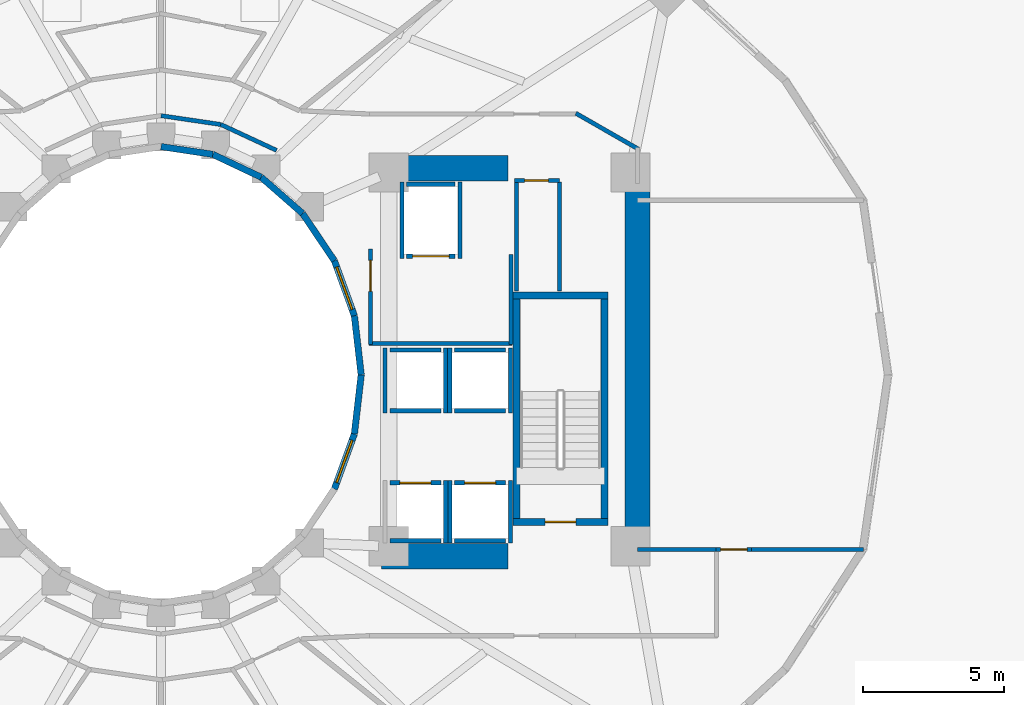
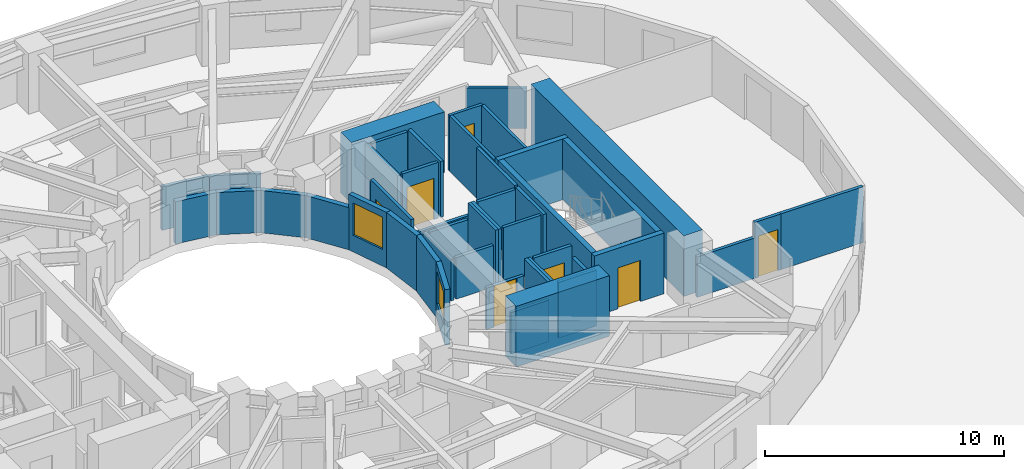
# One storey, part 6 of 10: 46 walls, 7 doors, 2 windows, 9 openings.
"""IFC4 building model written with IfcOpenShell, lengths in metres."""

import ifcopenshell
import ifcopenshell.guid

model = None  # the IFC model being written
_history = None  # IfcOwnerHistory: only IFC2X3 demands one
_inside = {}  # id of a spatial element -> (the spatial element, [elements in it])
_under = {}  # id of a project, library or spatial element -> (it, [spatial elements below it])
_declared = {}  # id of a project -> (the project, [libraries it declares])
_typed = {}  # id of a type object -> (the type object, [elements of that type])
_made_of = {}  # id of a material, layer set ... -> (it, [elements and type objects made of it])


def new_model(schema):
    """Start an empty IFC model of exactly this schema.

    Asked for "IFC4X3", IfcOpenShell would pick the latest addendum, in which some entities
    have other attributes; the version numbers below select the first issue.
    IFC2X3 requires an IfcOwnerHistory on every rooted entity: one is made here for all.
    """
    global model, _history
    if schema == "IFC4X3":
        model = ifcopenshell.file(schema_version=(4, 3, 0, 0))
    else:
        model = ifcopenshell.file(schema=schema)
    _inside.clear()
    _under.clear()
    _declared.clear()
    _typed.clear()
    _made_of.clear()
    _history = None
    if model.schema == "IFC2X3":
        org = make("IfcOrganization", Name="unknown")
        user = make(
            "IfcPersonAndOrganization",
            ThePerson=make("IfcPerson", FamilyName="unknown"),
            TheOrganization=org,
        )
        app = make(
            "IfcApplication",
            ApplicationDeveloper=org,
            Version="unknown",
            ApplicationFullName="unknown",
            ApplicationIdentifier="unknown",
        )
        _history = make(
            "IfcOwnerHistory",
            OwningUser=user,
            OwningApplication=app,
            ChangeAction="ADDED",
            CreationDate=0,
        )
    return model


def make(cls, **values):
    """One entity of the class cls with the attributes given. An attribute that is None is left unset."""
    return model.create_entity(
        cls, **{name: value for name, value in values.items() if value is not None}
    )


def rooted(cls, **values):
    """An entity with a GlobalId (a new one), such as an element, a storey or a relation."""
    return make(cls, GlobalId=ifcopenshell.guid.new(), OwnerHistory=_history, **values)


def si_unit(unit_type, name, prefix=None):
    """IfcSIUnit, for example si_unit("LENGTHUNIT", "METRE", prefix="MILLI")."""
    return make("IfcSIUnit", UnitType=unit_type, Prefix=prefix, Name=name)


def assignment(units):
    """IfcUnitAssignment: the units of a project."""
    return None if units is None else make("IfcUnitAssignment", Units=units)


def point(xyz):
    """IfcCartesianPoint."""
    return None if xyz is None else make("IfcCartesianPoint", Coordinates=xyz)


def direction(xyz):
    """IfcDirection."""
    return None if xyz is None else make("IfcDirection", DirectionRatios=xyz)


def frame(location, z_axis=None, x_axis=None):
    """IfcAxis2Placement3D, a coordinate frame: its origin and axes. An axis left out is left unset."""
    return make(
        "IfcAxis2Placement3D",
        Location=point(location),
        Axis=direction(z_axis),
        RefDirection=direction(x_axis),
    )


def frame_2d(location, x_axis=None):
    """IfcAxis2Placement2D, a coordinate frame in the plane: its origin and x axis."""
    return make(
        "IfcAxis2Placement2D", Location=point(location), RefDirection=direction(x_axis)
    )


def origin():
    """The frame at (0, 0, 0) with its axes left unset."""
    return frame((0.0, 0.0, 0.0))


def place(relative_to, where):
    """IfcLocalPlacement: puts the frame where relative to a parent placement (None: the world)."""
    return make(
        "IfcLocalPlacement", PlacementRelTo=relative_to, RelativePlacement=where
    )


def context(
    kind, dimensions, precision=None, world=None, true_north=None, identifier=None
):
    """IfcGeometricRepresentationContext, for example the 3D "Model" context."""
    return make(
        "IfcGeometricRepresentationContext",
        ContextIdentifier=identifier,
        ContextType=kind,
        CoordinateSpaceDimension=dimensions,
        Precision=precision,
        WorldCoordinateSystem=world,
        TrueNorth=true_north,
    )


def subcontext(parent, identifier, kind, view, scale=None):
    """IfcGeometricRepresentationSubContext, for example "Body" below "Model"."""
    return make(
        "IfcGeometricRepresentationSubContext",
        ContextIdentifier=identifier,
        ContextType=kind,
        ParentContext=parent,
        TargetScale=scale,
        TargetView=view,
    )


def project(units=None, contexts=None):
    """IfcProject with its units and contexts."""
    return rooted(
        "IfcProject",
        Name="project",
        RepresentationContexts=contexts,
        UnitsInContext=assignment(units),
    )


def spatial(cls, under=None, at=None, **own):
    """A site, building, storey or space (cls), placed at a placement, below another one or the project."""
    s = rooted(cls, ObjectPlacement=at, **own)
    if under is not None:
        _under.setdefault(under.id(), (under, []))[1].append(s)
    return s


def profile(cls, at=None, kind="AREA", **sizes):
    """A parametric profile (cls). Its sizes go by their IFC names, for example OverallWidth=200.0."""
    return make(cls, ProfileType=kind, Position=at, **sizes)


def rectangle(**sizes):
    """IfcRectangleProfileDef."""
    return profile("IfcRectangleProfileDef", **sizes)


def extrude(swept, where, along, depth):
    """IfcExtrudedAreaSolid: the profile swept, set in the frame where, extruded along a direction by depth."""
    return make(
        "IfcExtrudedAreaSolid",
        SweptArea=swept,
        Position=where,
        ExtrudedDirection=direction(along),
        Depth=depth,
    )


def shape(context_of_items, identifier, shape_type, items):
    """IfcShapeRepresentation: the items that make up one representation, for example the "Body"."""
    return make(
        "IfcShapeRepresentation",
        ContextOfItems=context_of_items,
        RepresentationIdentifier=identifier,
        RepresentationType=shape_type,
        Items=items,
    )


def material(Name=None, Category=None):
    """IfcMaterial."""
    return make("IfcMaterial", Name=Name, Category=Category)


def layer(
    of_material, thickness, ventilated=None, Name=None, Category=None, Priority=None
):
    """IfcMaterialLayer: one layer of a wall or slab, of a material (None: an air gap)."""
    return make(
        "IfcMaterialLayer",
        Material=of_material,
        LayerThickness=thickness,
        IsVentilated=ventilated,
        Name=Name,
        Category=Category,
        Priority=Priority,
    )


def layer_set(layers, Name=None):
    """IfcMaterialLayerSet."""
    return make("IfcMaterialLayerSet", MaterialLayers=layers, LayerSetName=Name)


def made_of(thing, what):
    """Note that an element or type object is made of a material, layer set ...; save() writes the relation."""
    if what is not None:
        _made_of.setdefault(what.id(), (what, []))[1].append(thing)
    return thing


def type_object(cls, material=None, **own):
    """A type object (cls), such as IfcWallType, which elements share."""
    return made_of(rooted(cls, **own), material)


def element(
    cls,
    number,
    at=None,
    inside=None,
    cuts=None,
    type_object=None,
    material=None,
    context=None,
    identifier="Body",
    shape_type=None,
    held_by="IfcProductDefinitionShape",
    body=None,
    shapes=None,
    **own,
):
    """One element of the class cls, such as IfcWall. Its Tag is "e" and its number.

    at: its placement. inside: the storey or other place that contains it. cuts: it is an
    opening in that element (IfcRelVoidsElement). A single representation is given by context,
    identifier, shape_type and body (its items); several are given by shapes. held_by: the class
    of the entity that holds the representations. save() writes the other relations.
    """
    e = rooted(cls, Tag="e%d" % number, ObjectPlacement=at, **own)
    if body is not None:
        shapes = [shape(context, identifier, shape_type, body)]
    if shapes is not None:
        e.Representation = make(held_by, Representations=shapes)
    if inside is not None:
        _inside.setdefault(inside.id(), (inside, []))[1].append(e)
    if cuts is not None:
        rooted(
            "IfcRelVoidsElement", RelatingBuildingElement=cuts, RelatedOpeningElement=e
        )
    if type_object is not None:
        _typed.setdefault(type_object.id(), (type_object, []))[1].append(e)
    return made_of(e, material)


def fill(opening, filler):
    """IfcRelFillsElement: the door or window that sits in an opening."""
    return rooted(
        "IfcRelFillsElement",
        RelatingOpeningElement=opening,
        RelatedBuildingElement=filler,
    )


def aggregate(whole, parts):
    """IfcRelAggregates: a whole, such as a stair, and the parts it consists of."""
    return rooted("IfcRelAggregates", RelatingObject=whole, RelatedObjects=parts)


def save(model, path):
    """Write the relations noted so far, then the file.

    IfcRelAggregates (storeys below a building ...), IfcRelContainedInSpatialStructure (elements
    in a storey), IfcRelDefinesByType, IfcRelAssociatesMaterial and IfcRelDeclares: one each for
    every whole, place, type object, material and project.
    """
    for whole, parts in _under.values():
        aggregate(whole, parts)
    for where, things in _inside.values():
        rooted(
            "IfcRelContainedInSpatialStructure",
            RelatedElements=things,
            RelatingStructure=where,
        )
    for kind, things in _typed.values():
        rooted("IfcRelDefinesByType", RelatedObjects=things, RelatingType=kind)
    for what, things in _made_of.values():
        rooted("IfcRelAssociatesMaterial", RelatedObjects=things, RelatingMaterial=what)
    for by, libraries in _declared.values():
        rooted("IfcRelDeclares", RelatingContext=by, RelatedDefinitions=libraries)
    model.write(path)


model = new_model("IFC4")

# Units and contexts
model_context = context("Model", 3, precision=1e-05, world=origin(), true_north=direction((0.0, 1.0)))
body_context = subcontext(model_context, "Body", "Model", "MODEL_VIEW")
ifc_project = project(units=[si_unit("LENGTHUNIT", "METRE"), si_unit("AREAUNIT", "SQUARE_METRE"), si_unit("VOLUMEUNIT", "CUBIC_METRE"), si_unit("PLANEANGLEUNIT", "RADIAN"), si_unit("MASSUNIT", "GRAM", prefix="KILO")], contexts=[model_context])

# Site, building, storey
site_placement = place(None, origin())
site = spatial("IfcSite", under=ifc_project, at=site_placement, CompositionType="ELEMENT")
building_placement = place(site_placement, origin())
building = spatial("IfcBuilding", under=site, at=building_placement, Name="Solvane Sanctuary Tower", CompositionType="ELEMENT")
storey_placement = place(building_placement, frame((0.0, 0.0, 27.60009765625)))
storey = spatial("IfcBuildingStorey", under=building, at=storey_placement, Name="L07", CompositionType="ELEMENT", Elevation=27.60009765625)

# Walls
ifc_material_1 = material(Name="Concrete C70/85", Category="concrete")
ifc_layer_1 = layer(ifc_material_1, 0.89990234375, Name="Concrete C70/85")
ifc_layer_set_1 = layer_set([ifc_layer_1], Name="Concrete C70/85")
wall_type_1 = type_object("IfcWallType", Name="Wall W-CORE-900", PredefinedType="SHEAR", material=ifc_layer_set_1)
wall_1_placement = place(storey_placement, frame((48.949951171875, 17.050048828125, 0.0), z_axis=(0.0, 0.0, 1.0), x_axis=(0.0, 1.0, 0.0)))
element("IfcWall", 1, at=wall_1_placement, inside=storey, type_object=wall_type_1, Name="L07 Core Shear Wall EC-E", PredefinedType="SHEAR", context=body_context, shape_type="SweptSolid", body=[
    extrude(rectangle(XDim=12.800048828125, YDim=0.89990234375, at=frame_2d((6.39990234375, 0.0))), origin(), (0.0, 0.0, 1.0), 3.099853515625),
])
for number, where, z_axis, x_axis, name in (
    (2, (39.85009765625, 16.550048828125, 0.0), (0.0, 0.0, 1.0), (1.0, 0.0, 0.0), "L07 Core Shear Wall EC-S"),
    (3, (39.85009765625, 30.35009765625, 0.0), (0.0, 0.0, 1.0), (1.0, 0.0, 0.0), "L07 Core Shear Wall EC-N"),
):
    element("IfcWall", number, at=place(storey_placement, frame(where, z_axis=z_axis, x_axis=x_axis)), inside=storey, type_object=wall_type_1, Name=name, PredefinedType="SHEAR", context=body_context, shape_type="SweptSolid", body=[
        extrude(rectangle(XDim=4.5, YDim=0.89990234375, at=frame_2d((2.25, 0.0))), origin(), (0.0, 0.0, 1.0), 3.099853515625),
    ])
ifc_material_2 = material(Name="Acoustic Gypsum Partition Board")
ifc_layer_2 = layer(ifc_material_2, 0.14990234375, Name="Acoustic Gypsum Partition Board")
ifc_layer_set_2 = layer_set([ifc_layer_2], Name="Acoustic Gypsum Partition Board")
wall_type_2 = type_object("IfcWallType", Name="Wall W-CORR-150", PredefinedType="PARTITIONING", material=ifc_layer_set_2)
wall_2_placement = place(storey_placement, frame((39.39990234375, 24.1201171875, 0.0), z_axis=(0.0, 0.0, 1.0), x_axis=(1.0, 0.0, 0.0)))
element("IfcWall", 4, at=wall_2_placement, inside=storey, type_object=wall_type_2, Name="L07 East Firefighting Lobby South Wall", PredefinedType="PARTITIONING", context=body_context, shape_type="SweptSolid", body=[
    extrude(rectangle(XDim=5.080078125, YDim=0.14990234375, at=frame_2d((2.5400390625, 0.0))), origin(), (0.0, 0.0, 1.0), 2.119873046875),
])
wall_3_placement = place(storey_placement, frame((44.449951171875, 24.080078125, 0.0), z_axis=(0.0, 0.0, 1.0), x_axis=(0.0, 1.0, 0.0)))
element("IfcWall", 5, at=wall_3_placement, inside=storey, type_object=wall_type_2, Name="L07 East Firefighting Lobby East Wall", PredefinedType="PARTITIONING", context=body_context, shape_type="SweptSolid", body=[
    extrude(rectangle(XDim=3.199951171875, YDim=0.14990234375, at=frame_2d((1.60009765625, 0.0))), origin(), (0.0, 0.0, 1.0), 2.85498046875),
])

# Wall, opening, door
wall_4_placement = place(storey_placement, frame((39.449951171875, 24.080078125, 0.0), z_axis=(0.0, 0.0, 1.0), x_axis=(0.0, 1.0, 0.0)))
wall_4 = element("IfcWall", 6, at=wall_4_placement, inside=storey, type_object=wall_type_2, Name="L07 East Firefighting Lobby West Wall", PredefinedType="PARTITIONING", context=body_context, shape_type="SweptSolid", body=[
    extrude(rectangle(XDim=3.39990234375, YDim=0.14990234375, at=frame_2d((1.699951171875, 0.0))), origin(), (0.0, 0.0, 1.0), 2.85498046875),
])
opening_1_placement = place(wall_4_placement, frame((1.893798828125, 0.0, 0.0)))
opening_1 = element("IfcOpeningElement", 7, at=opening_1_placement, cuts=wall_4, Name="Opening D-L07-09", PredefinedType="OPENING", context=body_context, shape_type="SweptSolid", body=[
    extrude(rectangle(XDim=1.10009765625, YDim=2.10009765625, at=frame_2d((0.550048828125, 1.050048828125))), frame((0.0, 0.0849609375, 0.0), z_axis=(0.0, -1.0, 0.0), x_axis=(1.0, 0.0, 0.0)), (0.0, 0.0, 1.0), 0.169921875),
])
ifc_material_3 = material(Name="Architectural Stainless Steel 316", Category="steel")
door_type_1 = type_object("IfcDoorType", Name="Door D-FFL", OperationType="NOTDEFINED", PredefinedType="DOOR", material=ifc_material_3)
door_1_placement = place(opening_1_placement, origin())
door_1 = element("IfcDoor", 8, at=door_1_placement, inside=storey, type_object=door_type_1, Name="L07 East Firefighting Lobby Fire Door", OperationType="SINGLE_SWING_LEFT", OverallHeight=2.10009765625, OverallWidth=1.10009765625, PredefinedType="DOOR", context=body_context, shape_type="SweptSolid", body=[
    extrude(rectangle(XDim=1.10009765625, YDim=2.10009765625, at=frame_2d((0.550048828125, 1.050048828125))), frame((0.0, 0.02490234375, 0.0), z_axis=(0.0, -1.0, 0.0), x_axis=(1.0, 0.0, 0.0)), (0.0, 0.0, 1.0), 0.050048828125),
])
fill(opening_1, door_1)

# Walls
wall_5_placement = place(storey_placement, frame((36.110107421875, 30.98486328125, 0.0), z_axis=(0.0, 0.0, 1.0), x_axis=(-0.906943449489, 0.421252393975, 0.0)))
element("IfcWall", 9, at=wall_5_placement, inside=storey, type_object=wall_type_2, Name="L07 Light-Well Corridor Rim Wall N1", PredefinedType="PARTITIONING", context=body_context, shape_type="SweptSolid", body=[
    extrude(rectangle(XDim=2.18603515625, YDim=0.14990234375, at=frame_2d((1.093017578125, 0.0))), origin(), (0.0, 0.0, 1.0), 2.23681640625),
])
wall_6_placement = place(storey_placement, frame((34.12744140625, 31.90576171875, 0.0), z_axis=(0.0, 0.0, 1.0), x_axis=(-0.989268584896, 0.146108408166, 0.0)))
element("IfcWall", 10, at=wall_6_placement, inside=storey, type_object=wall_type_2, Name="L07 Light-Well Corridor Rim Wall N2", PredefinedType="PARTITIONING", context=body_context, shape_type="SweptSolid", body=[
    extrude(rectangle(XDim=2.150634765625, YDim=0.14990234375, at=frame_2d((1.0751953125, 0.0))), origin(), (0.0, 0.0, 1.0), 2.23681640625),
])
wall_7_placement = place(storey_placement, frame((48.949951171875, 16.788330078125, 0.0), z_axis=(0.0, 0.0, 1.0), x_axis=(1.0, 0.0, 0.0)))
element("IfcWall", 11, at=wall_7_placement, inside=storey, type_object=wall_type_2, Name="L07 East Shoulder South Wall", PredefinedType="PARTITIONING", context=body_context, shape_type="SweptSolid", body=[
    extrude(rectangle(XDim=2.79296875, YDim=0.14990234375, at=frame_2d((1.396484375, 0.0))), origin(), (0.0, 0.0, 1.0), 2.06884765625),
])

# Wall, opening, door
wall_8_placement = place(storey_placement, frame((51.742919921875, 16.788330078125, 0.0), z_axis=(0.0, 0.0, 1.0), x_axis=(1.0, 0.0, 0.0)))
wall_8 = element("IfcWall", 12, at=wall_8_placement, inside=storey, type_object=wall_type_2, Name="L07 East Shoulder South Wall", PredefinedType="PARTITIONING", context=body_context, shape_type="SweptSolid", body=[
    extrude(rectangle(XDim=1.27001953125, YDim=0.14990234375, at=frame_2d((0.635009765625, 0.0))), origin(), (0.0, 0.0, 1.0), 2.85498046875),
])
opening_2_placement = place(wall_8_placement, frame((0.159912109375, 0.0, 0.0)))
opening_2 = element("IfcOpeningElement", 13, at=opening_2_placement, cuts=wall_8, Name="Opening D-L07-12", PredefinedType="OPENING", context=body_context, shape_type="SweptSolid", body=[
    extrude(rectangle(XDim=0.949951171875, YDim=2.10009765625, at=frame_2d((0.47509765625, 1.050048828125))), frame((0.0, 0.0849609375, 0.0), z_axis=(0.0, -1.0, 0.0), x_axis=(1.0, 0.0, 0.0)), (0.0, 0.0, 1.0), 0.169921875),
])
ifc_material_4 = material(Name="Engineered Tropical Hardwood", Category="wood")
door_type_2 = type_object("IfcDoorType", Name="Door D-ROOM-950", OperationType="NOTDEFINED", PredefinedType="DOOR", material=ifc_material_4)
door_2_placement = place(opening_2_placement, origin())
door_2 = element("IfcDoor", 14, at=door_2_placement, inside=storey, type_object=door_type_2, Name="L07 East Shoulder South Door", OperationType="SINGLE_SWING_RIGHT", OverallHeight=2.10009765625, OverallWidth=0.949951171875, PredefinedType="DOOR", context=body_context, shape_type="SweptSolid", body=[
    extrude(rectangle(XDim=0.949951171875, YDim=2.10009765625, at=frame_2d((0.47509765625, 1.050048828125))), frame((0.0, 0.02490234375, 0.0), z_axis=(0.0, -1.0, 0.0), x_axis=(1.0, 0.0, 0.0)), (0.0, 0.0, 1.0), 0.050048828125),
])
fill(opening_2, door_2)

# Walls
wall_9_placement = place(storey_placement, frame((53.012939453125, 16.788330078125, 0.0), z_axis=(0.0, 0.0, 1.0), x_axis=(1.0, 0.0, 0.0)))
element("IfcWall", 15, at=wall_9_placement, inside=storey, type_object=wall_type_2, Name="L07 East Shoulder South Wall", PredefinedType="PARTITIONING", context=body_context, shape_type="SweptSolid", body=[
    extrude(rectangle(XDim=3.973388671875, YDim=0.14990234375, at=frame_2d((1.98681640625, 0.0))), origin(), (0.0, 0.0, 1.0), 2.85498046875),
])
wall_10_placement = place(storey_placement, frame((46.756591796875, 32.3046875, 0.0), z_axis=(0.0, 0.0, 1.0), x_axis=(0.867991349648, -0.496579315857, 0.0)))
element("IfcWall", 16, at=wall_10_placement, inside=storey, type_object=wall_type_2, Name="L07 NE Corner Wing Wall", PredefinedType="PARTITIONING", context=body_context, shape_type="SweptSolid", body=[
    extrude(rectangle(XDim=2.56689453125, YDim=0.14990234375, at=frame_2d((1.283447265625, 0.0))), origin(), (0.0, 0.0, 1.0), 2.06884765625),
])
ifc_material_5 = material(Name="Precast concrete C40/50", Category="concrete")
ifc_layer_3 = layer(ifc_material_5, 0.22998046875, Name="Precast concrete C40/50")
ifc_layer_set_3 = layer_set([ifc_layer_3], Name="Precast concrete C40/50")
wall_type_3 = type_object("IfcWallType", Name="Wall W-EXT-SP220", PredefinedType="STANDARD", material=ifc_layer_set_3)
wall_11_placement = place(storey_placement, frame((39.1201171875, 23.0, 0.0), z_axis=(0.0, 0.0, 1.0), x_axis=(-0.114711713601, 0.993398823617, 0.0)))
element("IfcWall", 17, at=wall_11_placement, inside=storey, type_object=wall_type_3, Name="L07 Central Light-Well Wall 00", PredefinedType="STANDARD", context=body_context, shape_type="SweptSolid", body=[
    extrude(rectangle(XDim=2.115478515625, YDim=0.22998046875, at=frame_2d((1.0576171875, 0.0))), origin(), (0.0, 0.0, 1.0), 2.83984375),
])

# Wall, opening, window
wall_12_placement = place(storey_placement, frame((38.87744140625, 25.1015625, 0.0), z_axis=(0.0, 0.0, 1.0), x_axis=(-0.341423187295, 0.93990968033, 0.0)))
wall_12 = element("IfcWall", 18, at=wall_12_placement, inside=storey, type_object=wall_type_3, Name="L07 Central Light-Well Wall 01", PredefinedType="STANDARD", context=body_context, shape_type="SweptSolid", body=[
    extrude(rectangle(XDim=2.083740234375, YDim=0.22998046875, at=frame_2d((1.0419921875, 0.0))), origin(), (0.0, 0.0, 1.0), 2.83984375),
])
opening_3_placement = place(wall_12_placement, frame((0.24169921875, 0.0, 0.85009765625)))
opening_3 = element("IfcOpeningElement", 19, at=opening_3_placement, cuts=wall_12, Name="Opening WN-WELL-1600", PredefinedType="OPENING", context=body_context, shape_type="SweptSolid", body=[
    extrude(rectangle(XDim=1.60009765625, YDim=1.64990234375, at=frame_2d((0.800048828125, 0.824951171875))), frame((0.0, 0.125, 0.0), z_axis=(0.0, -1.0, 0.0), x_axis=(1.0, 0.0, 0.0)), (0.0, 0.0, 1.0), 0.25),
])
ifc_material_6 = material(Name="Clear Laminated Light-Well Glass", Category="glass")
window_type = type_object("IfcWindowType", Name="Window WN-WELL-1600", PartitioningType="SINGLE_PANEL", PredefinedType="WINDOW", material=ifc_material_6)
window_1_placement = place(opening_3_placement, origin())
window_1 = element("IfcWindow", 20, at=window_1_placement, inside=storey, type_object=window_type, Name="L07 Light-Well Daylight Window 01", OverallHeight=1.64990234375, OverallWidth=1.60009765625, PartitioningType="SINGLE_PANEL", PredefinedType="WINDOW", context=body_context, shape_type="SweptSolid", body=[
    extrude(rectangle(XDim=1.60009765625, YDim=1.64990234375, at=frame_2d((0.800048828125, 0.824951171875))), frame((0.0, 0.030029296875, 0.0), z_axis=(0.0, -1.0, 0.0), x_axis=(1.0, 0.0, 0.0)), (0.0, 0.0, 1.0), 0.06005859375),
])
fill(opening_3, window_1)

# Walls
wall_13_placement = place(storey_placement, frame((38.166015625, 27.06005859375, 0.0), z_axis=(0.0, 0.0, 1.0), x_axis=(-0.558197800898, 0.829707909492, 0.0)))
element("IfcWall", 21, at=wall_13_placement, inside=storey, type_object=wall_type_3, Name="L07 Central Light-Well Wall 02", PredefinedType="STANDARD", context=body_context, shape_type="SweptSolid", body=[
    extrude(rectangle(XDim=2.02685546875, YDim=0.22998046875, at=frame_2d((1.013427734375, 0.0))), origin(), (0.0, 0.0, 1.0), 2.159912109375),
])
wall_14_placement = place(storey_placement, frame((37.03466796875, 28.74169921875, 0.0), z_axis=(0.0, 0.0, 1.0), x_axis=(-0.752576694707, 0.658504607869, 0.0)))
element("IfcWall", 22, at=wall_14_placement, inside=storey, type_object=wall_type_3, Name="L07 Central Light-Well Wall 03", PredefinedType="STANDARD", context=body_context, shape_type="SweptSolid", body=[
    extrude(rectangle(XDim=1.95947265625, YDim=0.22998046875, at=frame_2d((0.979736328125, 0.0))), origin(), (0.0, 0.0, 1.0), 2.159912109375),
])
wall_15_placement = place(storey_placement, frame((35.56005859375, 30.031982421875, 0.0), z_axis=(0.0, 0.0, 1.0), x_axis=(-0.904179699603, 0.427152280606, 0.0)))
element("IfcWall", 23, at=wall_15_placement, inside=storey, type_object=wall_type_3, Name="L07 Central Light-Well Wall 04", PredefinedType="STANDARD", context=body_context, shape_type="SweptSolid", body=[
    extrude(rectangle(XDim=1.899169921875, YDim=0.22998046875, at=frame_2d((0.94970703125, 0.0))), origin(), (0.0, 0.0, 1.0), 2.159912109375),
])
wall_16_placement = place(storey_placement, frame((33.8427734375, 30.84326171875, 0.0), z_axis=(0.0, 0.0, 1.0), x_axis=(-0.988901730308, 0.148571086668, 0.0)))
element("IfcWall", 24, at=wall_16_placement, inside=storey, type_object=wall_type_3, Name="L07 Central Light-Well Wall 05", PredefinedType="STANDARD", context=body_context, shape_type="SweptSolid", body=[
    extrude(rectangle(XDim=1.863525390625, YDim=0.22998046875, at=frame_2d((0.931640625, 0.0))), origin(), (0.0, 0.0, 1.0), 2.159912109375),
])

# Wall, opening, window
wall_17_placement = place(storey_placement, frame((38.166015625, 18.93994140625, 0.0), z_axis=(0.0, 0.0, 1.0), x_axis=(0.341423187295, 0.93990968033, 0.0)))
wall_17 = element("IfcWall", 25, at=wall_17_placement, inside=storey, type_object=wall_type_3, Name="L07 Central Light-Well Wall 22", PredefinedType="STANDARD", context=body_context, shape_type="SweptSolid", body=[
    extrude(rectangle(XDim=2.083740234375, YDim=0.22998046875, at=frame_2d((1.0419921875, 0.0))), origin(), (0.0, 0.0, 1.0), 2.83984375),
])
opening_4_placement = place(wall_17_placement, frame((0.24169921875, 0.0, 0.85009765625)))
opening_4 = element("IfcOpeningElement", 26, at=opening_4_placement, cuts=wall_17, Name="Opening WN-WELL-1600", PredefinedType="OPENING", context=body_context, shape_type="SweptSolid", body=[
    extrude(rectangle(XDim=1.60009765625, YDim=1.64990234375, at=frame_2d((0.800048828125, 0.824951171875))), frame((0.0, 0.125, 0.0), z_axis=(0.0, -1.0, 0.0), x_axis=(1.0, 0.0, 0.0)), (0.0, 0.0, 1.0), 0.25),
])
window_2_placement = place(opening_4_placement, origin())
window_2 = element("IfcWindow", 27, at=window_2_placement, inside=storey, type_object=window_type, Name="L07 Light-Well Daylight Window 22", OverallHeight=1.64990234375, OverallWidth=1.60009765625, PartitioningType="SINGLE_PANEL", PredefinedType="WINDOW", context=body_context, shape_type="SweptSolid", body=[
    extrude(rectangle(XDim=1.60009765625, YDim=1.64990234375, at=frame_2d((0.800048828125, 0.824951171875))), frame((0.0, 0.030029296875, 0.0), z_axis=(0.0, -1.0, 0.0), x_axis=(1.0, 0.0, 0.0)), (0.0, 0.0, 1.0), 0.06005859375),
])
fill(opening_4, window_2)

# Wall
wall_18_placement = place(storey_placement, frame((38.87744140625, 20.8984375, 0.0), z_axis=(0.0, 0.0, 1.0), x_axis=(0.114711713601, 0.993398823617, 0.0)))
element("IfcWall", 28, at=wall_18_placement, inside=storey, type_object=wall_type_3, Name="L07 Central Light-Well Wall 23", PredefinedType="STANDARD", context=body_context, shape_type="SweptSolid", body=[
    extrude(rectangle(XDim=2.115478515625, YDim=0.22998046875, at=frame_2d((1.0576171875, 0.0))), origin(), (0.0, 0.0, 1.0), 2.83984375),
])

# Wall, opening, door
ifc_material_7 = material(Name="Concrete C50/60", Category="concrete")
ifc_layer_4 = layer(ifc_material_7, 0.14990234375, Name="Concrete C50/60")
ifc_layer_set_4 = layer_set([ifc_layer_4], Name="Concrete C50/60")
wall_type_4 = type_object("IfcWallType", Name="Wall W-SHAFT-150", PredefinedType="SOLIDWALL", material=ifc_layer_set_4)
wall_19_placement = place(storey_placement, frame((40.139892578125, 19.159912109375, 0.0), z_axis=(0.0, 0.0, 1.0), x_axis=(1.0, 0.0, 0.0)))
wall_19 = element("IfcWall", 29, at=wall_19_placement, inside=storey, type_object=wall_type_4, Name="L07 PL-3 Lift Shaft Wall F", PredefinedType="SOLIDWALL", context=body_context, shape_type="SweptSolid", body=[
    extrude(rectangle(XDim=1.820068359375, YDim=0.14990234375, at=frame_2d((0.91015625, 0.0))), origin(), (0.0, 0.0, 1.0), 2.119873046875),
])
opening_5_placement = place(wall_19_placement, frame((0.360107421875, 0.0, 0.0)))
opening_5 = element("IfcOpeningElement", 30, at=opening_5_placement, cuts=wall_19, Name="Opening LD-L07-03", PredefinedType="OPENING", context=body_context, shape_type="SweptSolid", body=[
    extrude(rectangle(XDim=1.10009765625, YDim=2.10009765625, at=frame_2d((0.550048828125, 1.050048828125))), frame((0.0, 0.0849609375, 0.0), z_axis=(0.0, -1.0, 0.0), x_axis=(1.0, 0.0, 0.0)), (0.0, 0.0, 1.0), 0.169921875),
])
door_type_3 = type_object("IfcDoorType", Name="Door LD-PASS-1100", OperationType="NOTDEFINED", PredefinedType="DOOR", material=ifc_material_3)
door_3_placement = place(opening_5_placement, origin())
door_3 = element("IfcDoor", 31, at=door_3_placement, inside=storey, type_object=door_type_3, Name="L07 PL-3 Lift Landing Door", OperationType="DOUBLE_DOOR_SLIDING", OverallHeight=2.10009765625, OverallWidth=1.10009765625, PredefinedType="DOOR", context=body_context, shape_type="SweptSolid", body=[
    extrude(rectangle(XDim=1.10009765625, YDim=2.10009765625, at=frame_2d((0.550048828125, 1.050048828125))), frame((0.0, 0.02490234375, 0.0), z_axis=(0.0, -1.0, 0.0), x_axis=(1.0, 0.0, 0.0)), (0.0, 0.0, 1.0), 0.050048828125),
])
fill(opening_5, door_3)

# Walls
wall_20_placement = place(storey_placement, frame((40.139892578125, 17.10009765625, 0.0), z_axis=(0.0, 0.0, 1.0), x_axis=(1.0, 0.0, 0.0)))
element("IfcWall", 32, at=wall_20_placement, inside=storey, type_object=wall_type_4, Name="L07 PL-3 Lift Shaft Wall B", PredefinedType="SOLIDWALL", context=body_context, shape_type="SweptSolid", body=[
    extrude(rectangle(XDim=1.820068359375, YDim=0.14990234375, at=frame_2d((0.91015625, 0.0))), origin(), (0.0, 0.0, 1.0), 2.119873046875),
])
wall_21_placement = place(storey_placement, frame((42.1298828125, 17.02001953125, 0.0), z_axis=(0.0, 0.0, 1.0), x_axis=(0.0, 1.0, 0.0)))
element("IfcWall", 33, at=wall_21_placement, inside=storey, type_object=wall_type_4, Name="L07 PL-3 Lift Shaft Wall S2", PredefinedType="SOLIDWALL", context=body_context, shape_type="SweptSolid", body=[
    extrude(rectangle(XDim=2.219970703125, YDim=0.14990234375, at=frame_2d((1.10986328125, 0.0))), origin(), (0.0, 0.0, 1.0), 2.85498046875),
])

# Wall, opening, door
wall_22_placement = place(storey_placement, frame((42.43994140625, 19.159912109375, 0.0), z_axis=(0.0, 0.0, 1.0), x_axis=(1.0, 0.0, 0.0)))
wall_22 = element("IfcWall", 34, at=wall_22_placement, inside=storey, type_object=wall_type_4, Name="L07 PL-4 Lift Shaft Wall F", PredefinedType="SOLIDWALL", context=body_context, shape_type="SweptSolid", body=[
    extrude(rectangle(XDim=1.820068359375, YDim=0.14990234375, at=frame_2d((0.91015625, 0.0))), origin(), (0.0, 0.0, 1.0), 2.85498046875),
])
opening_6_placement = place(wall_22_placement, frame((0.360107421875, 0.0, 0.0)))
opening_6 = element("IfcOpeningElement", 35, at=opening_6_placement, cuts=wall_22, Name="Opening LD-L07-04", PredefinedType="OPENING", context=body_context, shape_type="SweptSolid", body=[
    extrude(rectangle(XDim=1.10009765625, YDim=2.10009765625, at=frame_2d((0.550048828125, 1.050048828125))), frame((0.0, 0.0849609375, 0.0), z_axis=(0.0, -1.0, 0.0), x_axis=(1.0, 0.0, 0.0)), (0.0, 0.0, 1.0), 0.169921875),
])
door_4_placement = place(opening_6_placement, origin())
door_4 = element("IfcDoor", 36, at=door_4_placement, inside=storey, type_object=door_type_3, Name="L07 PL-4 Lift Landing Door", OperationType="DOUBLE_DOOR_SLIDING", OverallHeight=2.10009765625, OverallWidth=1.10009765625, PredefinedType="DOOR", context=body_context, shape_type="SweptSolid", body=[
    extrude(rectangle(XDim=1.10009765625, YDim=2.10009765625, at=frame_2d((0.550048828125, 1.050048828125))), frame((0.0, 0.02490234375, 0.0), z_axis=(0.0, -1.0, 0.0), x_axis=(1.0, 0.0, 0.0)), (0.0, 0.0, 1.0), 0.050048828125),
])
fill(opening_6, door_4)

# Walls
wall_23_placement = place(storey_placement, frame((42.43994140625, 17.10009765625, 0.0), z_axis=(0.0, 0.0, 1.0), x_axis=(1.0, 0.0, 0.0)))
element("IfcWall", 37, at=wall_23_placement, inside=storey, type_object=wall_type_4, Name="L07 PL-4 Lift Shaft Wall B", PredefinedType="SOLIDWALL", context=body_context, shape_type="SweptSolid", body=[
    extrude(rectangle(XDim=1.820068359375, YDim=0.14990234375, at=frame_2d((0.91015625, 0.0))), origin(), (0.0, 0.0, 1.0), 2.85498046875),
])
wall_24_placement = place(storey_placement, frame((42.27001953125, 17.02001953125, 0.0), z_axis=(0.0, 0.0, 1.0), x_axis=(0.0, 1.0, 0.0)))
element("IfcWall", 38, at=wall_24_placement, inside=storey, type_object=wall_type_4, Name="L07 PL-4 Lift Shaft Wall S1", PredefinedType="SOLIDWALL", context=body_context, shape_type="SweptSolid", body=[
    extrude(rectangle(XDim=2.219970703125, YDim=0.14990234375, at=frame_2d((1.10986328125, 0.0))), origin(), (0.0, 0.0, 1.0), 2.85498046875),
])
wall_25_placement = place(storey_placement, frame((44.429931640625, 17.02001953125, 0.0), z_axis=(0.0, 0.0, 1.0), x_axis=(0.0, 1.0, 0.0)))
element("IfcWall", 39, at=wall_25_placement, inside=storey, type_object=wall_type_4, Name="L07 PL-4 Lift Shaft Wall S2", PredefinedType="SOLIDWALL", context=body_context, shape_type="SweptSolid", body=[
    extrude(rectangle(XDim=2.219970703125, YDim=0.14990234375, at=frame_2d((1.10986328125, 0.0))), origin(), (0.0, 0.0, 1.0), 2.119873046875),
])
for number, where, z_axis, x_axis, name in (
    (40, (42.43994140625, 21.719970703125, 0.0), (0.0, 0.0, 1.0), (1.0, 0.0, 0.0), "L07 PM-2 Lift Shaft Wall F"),
    (41, (42.43994140625, 23.8798828125, 0.0), (0.0, 0.0, 1.0), (1.0, 0.0, 0.0), "L07 PM-2 Lift Shaft Wall B"),
):
    element("IfcWall", number, at=place(storey_placement, frame(where, z_axis=z_axis, x_axis=x_axis)), inside=storey, type_object=wall_type_4, Name=name, PredefinedType="SOLIDWALL", context=body_context, shape_type="SweptSolid", body=[
        extrude(rectangle(XDim=1.820068359375, YDim=0.14990234375, at=frame_2d((0.91015625, 0.0))), origin(), (0.0, 0.0, 1.0), 2.85498046875),
    ])
for number, where, z_axis, x_axis, name in (
    (42, (42.27001953125, 21.639892578125, 0.0), (0.0, 0.0, 1.0), (0.0, 1.0, 0.0), "L07 PM-2 Lift Shaft Wall S1"),
    (43, (44.429931640625, 21.639892578125, 0.0), (0.0, 0.0, 1.0), (0.0, 1.0, 0.0), "L07 PM-2 Lift Shaft Wall S2"),
):
    element("IfcWall", number, at=place(storey_placement, frame(where, z_axis=z_axis, x_axis=x_axis)), inside=storey, type_object=wall_type_4, Name=name, PredefinedType="SOLIDWALL", context=body_context, shape_type="SweptSolid", body=[
        extrude(rectangle(XDim=2.320068359375, YDim=0.14990234375, at=frame_2d((1.16015625, 0.0))), origin(), (0.0, 0.0, 1.0), 2.85498046875),
    ])
for number, where, z_axis, x_axis, name in (
    (44, (40.139892578125, 21.719970703125, 0.0), (0.0, 0.0, 1.0), (1.0, 0.0, 0.0), "L07 PH-2 Lift Shaft Wall F"),
    (45, (40.139892578125, 23.8798828125, 0.0), (0.0, 0.0, 1.0), (1.0, 0.0, 0.0), "L07 PH-2 Lift Shaft Wall B"),
):
    element("IfcWall", number, at=place(storey_placement, frame(where, z_axis=z_axis, x_axis=x_axis)), inside=storey, type_object=wall_type_4, Name=name, PredefinedType="SOLIDWALL", context=body_context, shape_type="SweptSolid", body=[
        extrude(rectangle(XDim=1.820068359375, YDim=0.14990234375, at=frame_2d((0.91015625, 0.0))), origin(), (0.0, 0.0, 1.0), 2.119873046875),
    ])
wall_26_placement = place(storey_placement, frame((39.969970703125, 21.639892578125, 0.0), z_axis=(0.0, 0.0, 1.0), x_axis=(0.0, 1.0, 0.0)))
element("IfcWall", 46, at=wall_26_placement, inside=storey, type_object=wall_type_4, Name="L07 PH-2 Lift Shaft Wall S1", PredefinedType="SOLIDWALL", context=body_context, shape_type="SweptSolid", body=[
    extrude(rectangle(XDim=2.320068359375, YDim=0.14990234375, at=frame_2d((1.16015625, 0.0))), origin(), (0.0, 0.0, 1.0), 2.119873046875),
])
wall_27_placement = place(storey_placement, frame((42.1298828125, 21.639892578125, 0.0), z_axis=(0.0, 0.0, 1.0), x_axis=(0.0, 1.0, 0.0)))
element("IfcWall", 47, at=wall_27_placement, inside=storey, type_object=wall_type_4, Name="L07 PH-2 Lift Shaft Wall S2", PredefinedType="SOLIDWALL", context=body_context, shape_type="SweptSolid", body=[
    extrude(rectangle(XDim=2.320068359375, YDim=0.14990234375, at=frame_2d((1.16015625, 0.0))), origin(), (0.0, 0.0, 1.0), 2.85498046875),
])

# Wall, opening, door
wall_28_placement = place(storey_placement, frame((40.739990234375, 27.219970703125, 0.0), z_axis=(0.0, 0.0, 1.0), x_axis=(1.0, 0.0, 0.0)))
wall_28 = element("IfcWall", 48, at=wall_28_placement, inside=storey, type_object=wall_type_4, Name="L07 FFL-2 Lift Shaft Wall F", PredefinedType="SOLIDWALL", context=body_context, shape_type="SweptSolid", body=[
    extrude(rectangle(XDim=1.719970703125, YDim=0.14990234375, at=frame_2d((0.85986328125, 0.0))), origin(), (0.0, 0.0, 1.0), 2.85498046875),
])
opening_7_placement = place(wall_28_placement, frame((0.2099609375, 0.0, 0.0)))
opening_7 = element("IfcOpeningElement", 49, at=opening_7_placement, cuts=wall_28, Name="Opening LD-L07-07", PredefinedType="OPENING", context=body_context, shape_type="SweptSolid", body=[
    extrude(rectangle(XDim=1.300048828125, YDim=2.10009765625, at=frame_2d((0.64990234375, 1.050048828125))), frame((0.0, 0.0849609375, 0.0), z_axis=(0.0, -1.0, 0.0), x_axis=(1.0, 0.0, 0.0)), (0.0, 0.0, 1.0), 0.169921875),
])
door_type_4 = type_object("IfcDoorType", Name="Door LD-FFL-1300", OperationType="NOTDEFINED", PredefinedType="DOOR", material=ifc_material_3)
door_5_placement = place(opening_7_placement, origin())
door_5 = element("IfcDoor", 50, at=door_5_placement, inside=storey, type_object=door_type_4, Name="L07 FFL-2 Lift Landing Door", OperationType="DOUBLE_DOOR_SLIDING", OverallHeight=2.10009765625, OverallWidth=1.300048828125, PredefinedType="DOOR", context=body_context, shape_type="SweptSolid", body=[
    extrude(rectangle(XDim=1.300048828125, YDim=2.10009765625, at=frame_2d((0.64990234375, 1.050048828125))), frame((0.0, 0.02490234375, 0.0), z_axis=(0.0, -1.0, 0.0), x_axis=(1.0, 0.0, 0.0)), (0.0, 0.0, 1.0), 0.050048828125),
])
fill(opening_7, door_5)

# Walls
wall_29_placement = place(storey_placement, frame((40.739990234375, 29.780029296875, 0.0), z_axis=(0.0, 0.0, 1.0), x_axis=(1.0, 0.0, 0.0)))
element("IfcWall", 51, at=wall_29_placement, inside=storey, type_object=wall_type_4, Name="L07 FFL-2 Lift Shaft Wall B", PredefinedType="SOLIDWALL", context=body_context, shape_type="SweptSolid", body=[
    extrude(rectangle(XDim=1.719970703125, YDim=0.14990234375, at=frame_2d((0.85986328125, 0.0))), origin(), (0.0, 0.0, 1.0), 2.85498046875),
])
for number, where, z_axis, x_axis, name in (
    (52, (40.570068359375, 27.139892578125, 0.0), (0.0, 0.0, 1.0), (0.0, 1.0, 0.0), "L07 FFL-2 Lift Shaft Wall S1"),
    (53, (42.6298828125, 27.139892578125, 0.0), (0.0, 0.0, 1.0), (0.0, 1.0, 0.0), "L07 FFL-2 Lift Shaft Wall S2"),
):
    element("IfcWall", number, at=place(storey_placement, frame(where, z_axis=z_axis, x_axis=x_axis)), inside=storey, type_object=wall_type_4, Name=name, PredefinedType="SOLIDWALL", context=body_context, shape_type="SweptSolid", body=[
        extrude(rectangle(XDim=2.72021484375, YDim=0.14990234375, at=frame_2d((1.360107421875, 0.0))), origin(), (0.0, 0.0, 1.0), 2.85498046875),
    ])

# Wall, opening, door
ifc_layer_5 = layer(ifc_material_7, 0.25, Name="Concrete C50/60")
ifc_layer_set_5 = layer_set([ifc_layer_5], Name="Concrete C50/60")
wall_type_5 = type_object("IfcWallType", Name="Wall W-SHAFT-250", PredefinedType="SOLIDWALL", material=ifc_layer_set_5)
wall_30_placement = place(storey_placement, frame((44.52490234375, 17.77001953125, 0.0), z_axis=(0.0, 0.0, 1.0), x_axis=(1.0, 0.0, 0.0)))
wall_30 = element("IfcWall", 54, at=wall_30_placement, inside=storey, type_object=wall_type_5, Name="L07 ST-2 Load-Bearing Shaft Wall S", PredefinedType="SOLIDWALL", context=body_context, shape_type="SweptSolid", body=[
    extrude(rectangle(XDim=3.3701171875, YDim=0.25, at=frame_2d((1.68505859375, 0.0))), origin(), (0.0, 0.0, 1.0), 3.099853515625),
])
opening_8_placement = place(wall_30_placement, frame((1.135009765625, 0.0, 0.0)))
opening_8 = element("IfcOpeningElement", 55, at=opening_8_placement, cuts=wall_30, Name="Opening D-L07-06", PredefinedType="OPENING", context=body_context, shape_type="SweptSolid", body=[
    extrude(rectangle(XDim=1.10009765625, YDim=2.10009765625, at=frame_2d((0.550048828125, 1.050048828125))), frame((0.0, 0.135009765625, 0.0), z_axis=(0.0, -1.0, 0.0), x_axis=(1.0, 0.0, 0.0)), (0.0, 0.0, 1.0), 0.27001953125),
])
door_type_5 = type_object("IfcDoorType", Name="Door D-STAIR", OperationType="NOTDEFINED", PredefinedType="DOOR", material=ifc_material_3)
door_6_placement = place(opening_8_placement, origin())
door_6 = element("IfcDoor", 56, at=door_6_placement, inside=storey, type_object=door_type_5, Name="L07 ST-2 Exit Stair Fire Door", OperationType="SINGLE_SWING_RIGHT", OverallHeight=2.10009765625, OverallWidth=1.10009765625, PredefinedType="DOOR", context=body_context, shape_type="SweptSolid", body=[
    extrude(rectangle(XDim=1.10009765625, YDim=2.10009765625, at=frame_2d((0.550048828125, 1.050048828125))), frame((0.0, 0.02490234375, 0.0), z_axis=(0.0, -1.0, 0.0), x_axis=(1.0, 0.0, 0.0)), (0.0, 0.0, 1.0), 0.050048828125),
])
fill(opening_8, door_6)

# Walls
wall_31_placement = place(storey_placement, frame((44.52490234375, 25.830078125, 0.0), z_axis=(0.0, 0.0, 1.0), x_axis=(1.0, 0.0, 0.0)))
element("IfcWall", 57, at=wall_31_placement, inside=storey, type_object=wall_type_5, Name="L07 ST-2 Load-Bearing Shaft Wall N", PredefinedType="SOLIDWALL", context=body_context, shape_type="SweptSolid", body=[
    extrude(rectangle(XDim=3.3701171875, YDim=0.25, at=frame_2d((1.68505859375, 0.0))), origin(), (0.0, 0.0, 1.0), 3.099853515625),
])
for number, where, z_axis, x_axis, name in (
    (58, (44.64990234375, 17.89501953125, 0.0), (0.0, 0.0, 1.0), (0.0, 1.0, 0.0), "L07 ST-2 Load-Bearing Shaft Wall W"),
    (59, (47.77001953125, 17.89501953125, 0.0), (0.0, 0.0, 1.0), (0.0, 1.0, 0.0), "L07 ST-2 Load-Bearing Shaft Wall E"),
):
    element("IfcWall", number, at=place(storey_placement, frame(where, z_axis=z_axis, x_axis=x_axis)), inside=storey, type_object=wall_type_5, Name=name, PredefinedType="SOLIDWALL", context=body_context, shape_type="SweptSolid", body=[
        extrude(rectangle(XDim=7.81005859375, YDim=0.25, at=frame_2d((3.905029296875, 0.0))), origin(), (0.0, 0.0, 1.0), 3.099853515625),
    ])

# Wall, opening, door
ifc_layer_6 = layer(ifc_material_2, 0.139892578125, Name="Acoustic Gypsum Partition Board")
ifc_layer_set_6 = layer_set([ifc_layer_6], Name="Acoustic Gypsum Partition Board")
wall_type_6 = type_object("IfcWallType", Name="Wall W-WET-140", PredefinedType="PLUMBINGWALL", material=ifc_layer_set_6)
wall_32_placement = place(storey_placement, frame((44.580078125, 29.919921875, 0.0), z_axis=(0.0, 0.0, 1.0), x_axis=(1.0, 0.0, 0.0)))
wall_32 = element("IfcWall", 60, at=wall_32_placement, inside=storey, type_object=wall_type_6, Name="L07 Core Service Front Wall KE0S", PredefinedType="PLUMBINGWALL", context=body_context, shape_type="SweptSolid", body=[
    extrude(rectangle(XDim=1.599853515625, YDim=0.139892578125, at=frame_2d((0.7998046875, 0.0))), origin(), (0.0, 0.0, 1.0), 2.85498046875),
])
opening_9_placement = place(wall_32_placement, frame((0.35009765625, 0.0, 0.0)))
opening_9 = element("IfcOpeningElement", 61, at=opening_9_placement, cuts=wall_32, Name="Opening D-L07-11", PredefinedType="OPENING", context=body_context, shape_type="SweptSolid", body=[
    extrude(rectangle(XDim=0.85009765625, YDim=2.050048828125, at=frame_2d((0.425048828125, 1.02490234375))), frame((0.0, 0.079833984375, 0.0), z_axis=(0.0, -1.0, 0.0), x_axis=(1.0, 0.0, 0.0)), (0.0, 0.0, 1.0), 0.159912109375),
])
door_type_6 = type_object("IfcDoorType", Name="Door D-RISER", OperationType="NOTDEFINED", PredefinedType="DOOR", material=ifc_material_3)
door_7_placement = place(opening_9_placement, origin())
door_7 = element("IfcDoor", 62, at=door_7_placement, inside=storey, type_object=door_type_6, Name="L07 Core Service Room Door KE0S-1", OperationType="SINGLE_SWING_LEFT", OverallHeight=2.050048828125, OverallWidth=0.85009765625, PredefinedType="DOOR", context=body_context, shape_type="SweptSolid", body=[
    extrude(rectangle(XDim=0.85009765625, YDim=2.050048828125, at=frame_2d((0.425048828125, 1.02490234375))), frame((0.0, 0.02490234375, 0.0), z_axis=(0.0, -1.0, 0.0), x_axis=(1.0, 0.0, 0.0)), (0.0, 0.0, 1.0), 0.050048828125),
])
fill(opening_9, door_7)

# Walls
for number, where, z_axis, x_axis, name in (
    (63, (44.639892578125, 25.97998046875, 0.0), (0.0, 0.0, 1.0), (0.0, 1.0, 0.0), "L07 Core Service Side Wall KE0S-1"),
    (64, (46.179931640625, 25.97998046875, 0.0), (0.0, 0.0, 1.0), (0.0, 1.0, 0.0), "L07 Core Service Side Wall KE0S-2"),
):
    element("IfcWall", number, at=place(storey_placement, frame(where, z_axis=z_axis, x_axis=x_axis)), inside=storey, type_object=wall_type_6, Name=name, PredefinedType="PLUMBINGWALL", context=body_context, shape_type="SweptSolid", body=[
        extrude(rectangle(XDim=3.880126953125, YDim=0.139892578125, at=frame_2d((1.93994140625, 0.0))), origin(), (0.0, 0.0, 1.0), 2.85498046875),
    ])

save(model, "model.ifc")
